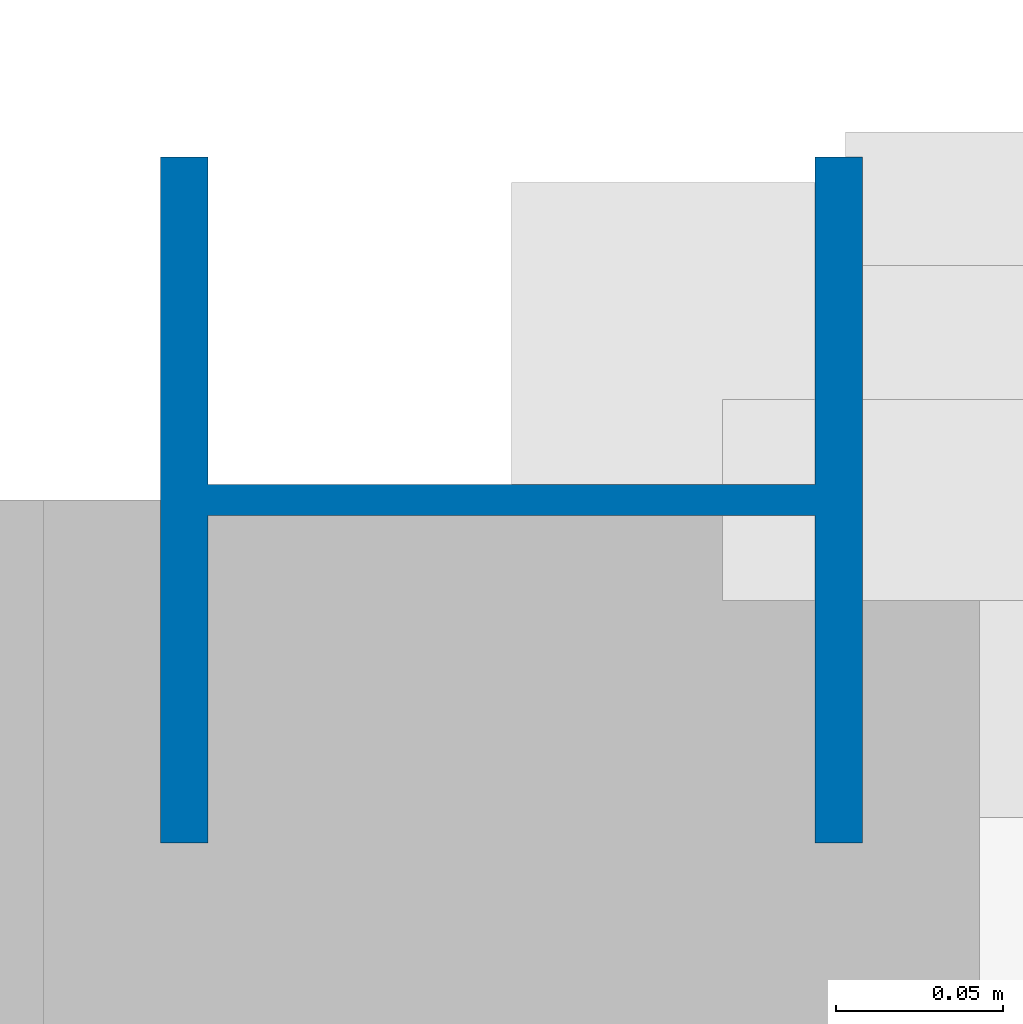
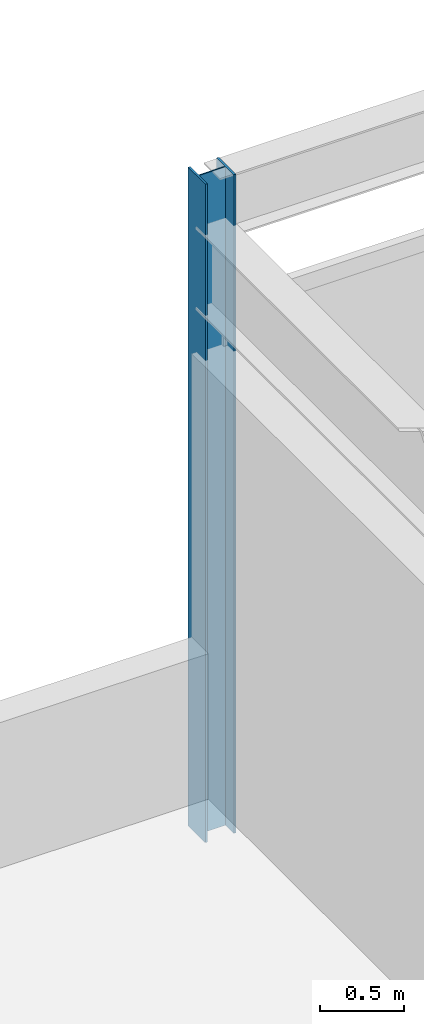
# One storey, part 22 of 186: 1 column.
"""IFC4 building model written with IfcOpenShell, lengths in metres."""

from ifc_helpers import new_model, si_unit, direction, frame, origin, origin_2d, place, context, subcontext, project, spatial, i_section, extrude, material, material_profile, profile_set, type_object, element, save


model = new_model("IFC4")

# Units and contexts
model_context = context("Model", 3, precision=1e-05, world=origin(), true_north=direction((0.0, 1.0)))
body_context = subcontext(model_context, "Body", "Model", "MODEL_VIEW")
ifc_project = project(units=[si_unit("LENGTHUNIT", "METRE"), si_unit("AREAUNIT", "SQUARE_METRE"), si_unit("VOLUMEUNIT", "CUBIC_METRE"), si_unit("PLANEANGLEUNIT", "RADIAN"), si_unit("MASSUNIT", "GRAM", prefix="KILO")], contexts=[model_context])

# Site, building, storey
site_placement = place(None, origin())
site = spatial("IfcSite", under=ifc_project, at=site_placement, CompositionType="ELEMENT")
building_placement = place(site_placement, origin())
building = spatial("IfcBuilding", under=site, at=building_placement, Name="Tarnwether General Hospital", CompositionType="ELEMENT")
storey_placement = place(building_placement, frame((0.0, 0.0, 9.60009765625)))
storey = spatial("IfcBuildingStorey", under=building, at=storey_placement, Name="L02", CompositionType="ELEMENT", Elevation=9.60009765625)

# Column
ifc_material = material(Name="Steel Grade 350 (350 MPa)", Category="steel")
ifc_material_profile = material_profile(ifc_material, i_section(OverallWidth=0.205078125, OverallDepth=0.2099609375, WebThickness=0.00927734375, FlangeThickness=0.01416015625, at=origin_2d()), Name="200UC59.5")
ifc_profile_set = profile_set([ifc_material_profile], Name="Steel Grade 350 (350 MPa)")
column_type = type_object("IfcColumnType", Name="COL-25", PredefinedType="COLUMN", material=ifc_profile_set)
column_placement = place(storey_placement, frame((60.0, 126.0, 0.0), z_axis=(0.0, 0.0, 1.0), x_axis=(0.0, 1.0, 0.0)))
element("IfcColumn", 1, at=column_placement, inside=storey, type_object=column_type, Name="Column COLG-L02-6000_12600", PredefinedType="COLUMN", context=body_context, shape_type="SweptSolid", body=[
    extrude(i_section(OverallWidth=0.205078125, OverallDepth=0.2099609375, WebThickness=0.00927734375, FlangeThickness=0.01416015625, at=origin_2d()), origin(), (0.0, 0.0, 1.0), 4.7998046875),
])

save(model, "model.ifc")
